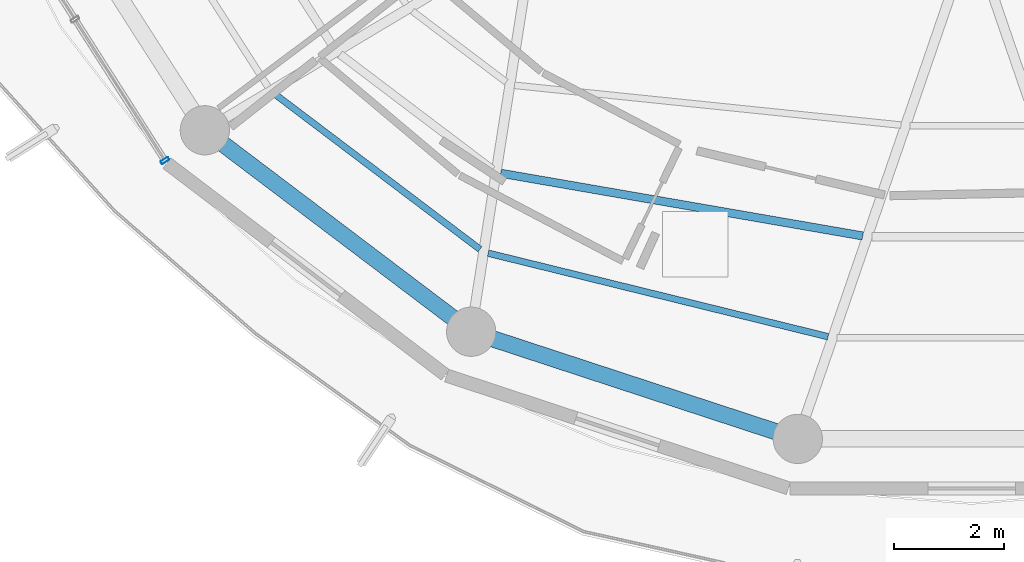
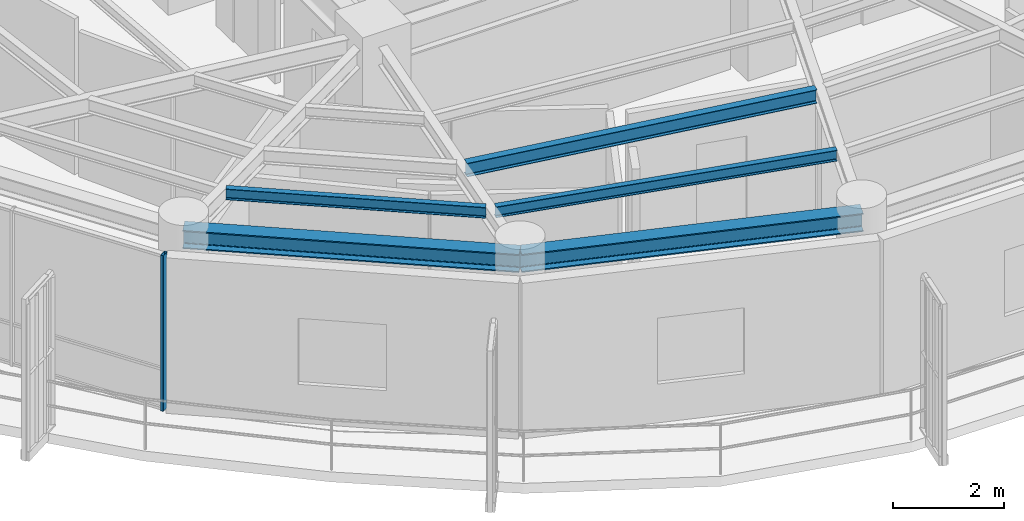
# One storey, part 2 of 23: 5 beams, 1 member, 1 element without a shape of its own.
"""IFC4 building model written with IfcOpenShell, lengths in metres."""

from ifc_helpers import new_model, si_unit, direction, frame, origin, origin_2d, place, context, subcontext, project, spatial, hollow_rectangle, i_section, extrude, material, layer, layer_set, material_profile, profile_set, type_object, element, aggregate, save


model = new_model("IFC4")

# Units and contexts
model_context = context("Model", 3, precision=1e-05, world=origin(), true_north=direction((0.0, 1.0)))
body_context = subcontext(model_context, "Body", "Model", "MODEL_VIEW")
ifc_project = project(units=[si_unit("LENGTHUNIT", "METRE"), si_unit("AREAUNIT", "SQUARE_METRE"), si_unit("VOLUMEUNIT", "CUBIC_METRE"), si_unit("PLANEANGLEUNIT", "RADIAN"), si_unit("MASSUNIT", "GRAM", prefix="KILO")], contexts=[model_context])

# Site, building, storey
site_placement = place(None, origin())
site = spatial("IfcSite", under=ifc_project, at=site_placement, CompositionType="ELEMENT")
building_placement = place(site_placement, origin())
building = spatial("IfcBuilding", under=site, at=building_placement, Name="Kelanora Arch Commons", CompositionType="ELEMENT")
storey_placement = place(building_placement, frame((0.0, 0.0, 289.949951171875)))
storey = spatial("IfcBuildingStorey", under=building, at=storey_placement, Name="L74", CompositionType="ELEMENT", Elevation=289.949951171875)

# Beams
ifc_material_1 = material(Name="Steel S355", Category="steel")
ifc_material_profile_1 = material_profile(ifc_material_1, i_section(OverallWidth=0.14990234375, OverallDepth=0.300048828125, WebThickness=0.007080078125, FlangeThickness=0.0107421875, FilletRadius=0.014892578125, at=origin_2d()), Name="IPE300")
ifc_profile_set_1 = profile_set([ifc_material_profile_1], Name="Steel S355")
beam_type_1 = type_object("IfcBeamType", Name="BM-JST-01", PredefinedType="JOIST", material=ifc_profile_set_1)
beam_1_placement = place(storey_placement, frame((65.39990234375, 46.622314453125, 3.280029296875), z_axis=(0.985321568263, -0.170708544357, 0.0), x_axis=(0.170708544357, 0.985321568263, 0.0)))
element("IfcBeam", 1, at=beam_1_placement, inside=storey, type_object=beam_type_1, Name="Secondary Chord Joist BJB-24 L74", PredefinedType="JOIST", context=body_context, shape_type="SweptSolid", body=[
    extrude(i_section(OverallWidth=0.14990234375, OverallDepth=0.300048828125, WebThickness=0.007080078125, FlangeThickness=0.0107421875, FilletRadius=0.014892578125, at=origin_2d()), origin(), (0.0, 0.0, 1.0), 6.710205078125),
])
ifc_material_profile_2 = material_profile(ifc_material_1, i_section(OverallWidth=0.1201171875, OverallDepth=0.239990234375, WebThickness=0.006103515625, FlangeThickness=0.009765625, FilletRadius=0.014892578125, at=origin_2d()), Name="IPE240")
ifc_profile_set_2 = profile_set([ifc_material_profile_2], Name="Steel S355")
beam_type_2 = type_object("IfcBeamType", Name="BM-JST-02", PredefinedType="JOIST", material=ifc_profile_set_2)
beam_2_placement = place(storey_placement, frame((61.26513671875, 48.07421875, 3.31005859375), z_axis=(0.79752302984, -0.60328850219, 0.0), x_axis=(0.60328850219, 0.79752302984, 0.0)))
element("IfcBeam", 2, at=beam_2_placement, inside=storey, type_object=beam_type_2, Name="Secondary Chord Joist BJC-22 L74", PredefinedType="JOIST", context=body_context, shape_type="SweptSolid", body=[
    extrude(i_section(OverallWidth=0.1201171875, OverallDepth=0.239990234375, WebThickness=0.006103515625, FlangeThickness=0.009765625, FilletRadius=0.014892578125, at=origin_2d()), origin(), (0.0, 0.0, 1.0), 4.70849609375),
])
beam_3_placement = place(storey_placement, frame((65.17041015625, 45.162109375, 3.31005859375), z_axis=(0.971109719488, -0.23863342749, 0.0), x_axis=(0.23863342749, 0.971109719488, 0.0)))
element("IfcBeam", 3, at=beam_3_placement, inside=storey, type_object=beam_type_2, Name="Secondary Chord Joist BJC-24 L74", PredefinedType="JOIST", context=body_context, shape_type="SweptSolid", body=[
    extrude(i_section(OverallWidth=0.1201171875, OverallDepth=0.239990234375, WebThickness=0.006103515625, FlangeThickness=0.009765625, FilletRadius=0.014892578125, at=origin_2d()), origin(), (0.0, 0.0, 1.0), 6.39208984375),
])
ifc_material_profile_3 = material_profile(ifc_material_1, i_section(OverallWidth=0.300048828125, OverallDepth=0.39990234375, WebThickness=0.013427734375, FlangeThickness=0.02392578125, FilletRadius=0.027099609375, at=origin_2d()), Name="HEB400")
ifc_profile_set_3 = profile_set([ifc_material_profile_3], Name="Steel S355")
beam_type_3 = type_object("IfcBeamType", Name="BM-SPN-Z4", PredefinedType="SPANDREL", material=ifc_profile_set_3)
beam_4_placement = place(storey_placement, frame((59.99658203125, 47.406982421875, 3.22998046875), z_axis=(0.797509460967, -0.603306439273, 0.0), x_axis=(0.603306439273, 0.797509460967, 0.0)))
element("IfcBeam", 4, at=beam_4_placement, inside=storey, type_object=beam_type_3, Name="Perimeter Spandrel Beam BS-22 L74", PredefinedType="SPANDREL", context=body_context, shape_type="SweptSolid", body=[
    extrude(i_section(OverallWidth=0.300048828125, OverallDepth=0.39990234375, WebThickness=0.013427734375, FlangeThickness=0.02392578125, FilletRadius=0.027099609375, at=origin_2d()), origin(), (0.0, 0.0, 1.0), 6.098388671875),
])
beam_5_placement = place(storey_placement, frame((64.860107421875, 43.727783203125, 3.22998046875), z_axis=(0.950165923039, -0.311744636996, 0.0), x_axis=(0.311744636996, 0.950165923039, 0.0)))
element("IfcBeam", 5, at=beam_5_placement, inside=storey, type_object=beam_type_3, Name="Perimeter Spandrel Beam BS-24 L74", PredefinedType="SPANDREL", context=body_context, shape_type="SweptSolid", body=[
    extrude(i_section(OverallWidth=0.300048828125, OverallDepth=0.39990234375, WebThickness=0.013427734375, FlangeThickness=0.02392578125, FilletRadius=0.027099609375, at=origin_2d()), origin(), (0.0, 0.0, 1.0), 6.278564453125),
])

# Curtain wall, member
ifc_material_2 = material(Name="Terracotta ceramic-fritted low-E glass and aluminium", Category="masonry")
ifc_layer = layer(ifc_material_2, 0.18994140625)
ifc_layer_set = layer_set([ifc_layer], Name="Terracotta ceramic-fritted low-E glass and aluminium")
curtain_wall_type = type_object("IfcCurtainWallType", Name="CW-SYS-03", PredefinedType="NOTDEFINED", material=ifc_layer_set)
curtain_wall_placement = place(storey_placement, origin())
curtain_wall = element("IfcCurtainWall", 6, at=curtain_wall_placement, inside=storey, type_object=curtain_wall_type, Name="Unitised Curtain Wall L74-B10", PredefinedType="NOTDEFINED")
ifc_material_3 = material(Name="Powder-coated aluminium terracotta", Category="masonry")
ifc_material_profile_4 = material_profile(ifc_material_3, hollow_rectangle(XDim=0.159912109375, YDim=0.06005859375, WallThickness=0.0048828125, InnerFilletRadius=0.0048828125, OuterFilletRadius=0.010009765625, at=origin_2d()), Name="CWM160x60")
ifc_profile_set_4 = profile_set([ifc_material_profile_4], Name="Powder-coated aluminium terracotta")
member_type = type_object("IfcMemberType", Name="CWM-STD", PredefinedType="MULLION", material=ifc_profile_set_4)
member_placement = place(storey_placement, frame((59.267578125, 46.853515625, 0.0), z_axis=(0.0, 0.0, 1.0), x_axis=(0.843391314545, 0.537299814397, 0.0)))
member = element("IfcMember", 7, at=member_placement, type_object=member_type, Name="CW-03 mullion 3", PredefinedType="MULLION", context=body_context, shape_type="SweptSolid", body=[
    extrude(hollow_rectangle(XDim=0.159912109375, YDim=0.06005859375, WallThickness=0.0048828125, InnerFilletRadius=0.0048828125, OuterFilletRadius=0.010009765625, at=origin_2d()), origin(), (0.0, 0.0, 1.0), 3.4150390625),
])
aggregate(curtain_wall, [member])

save(model, "model.ifc")
